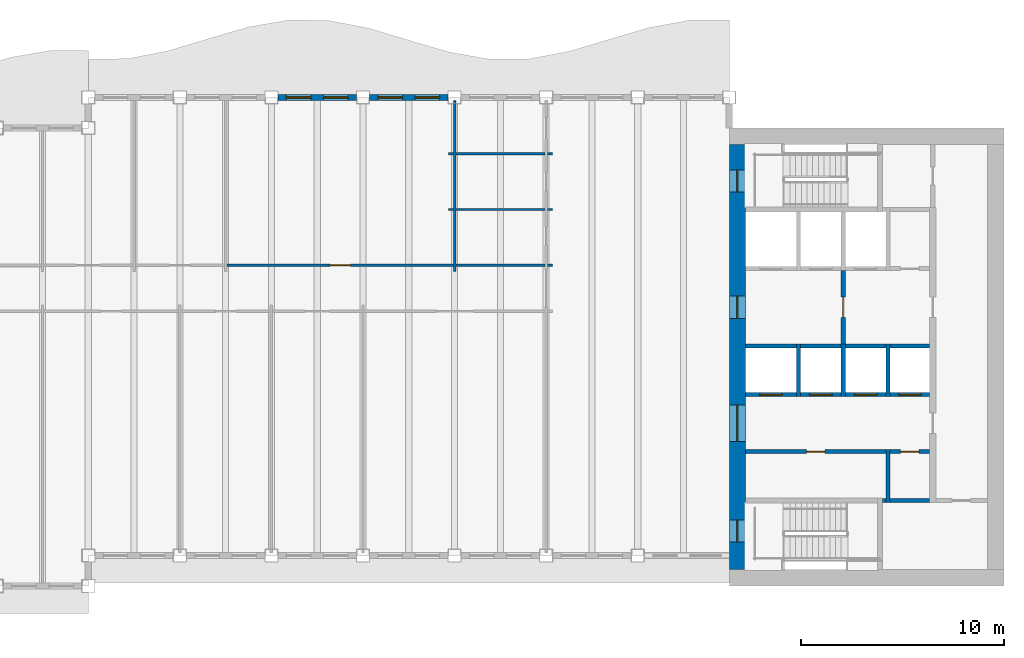
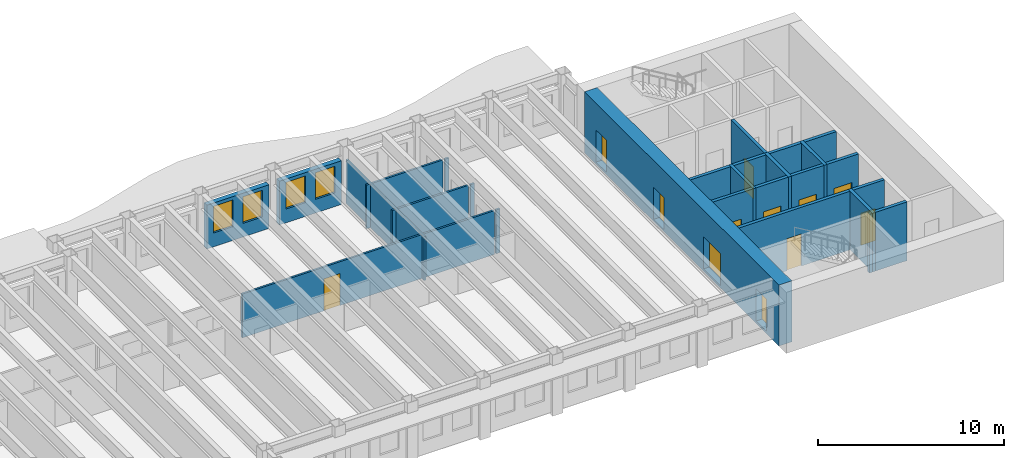
# One storey, part 5 of 12: 30 walls, 12 doors, 4 windows, 16 openings.
"""IFC4 building model written with IfcOpenShell, lengths in metres."""

from ifc_helpers import new_model, si_unit, direction, frame, frame_2d, origin, place, context, subcontext, project, spatial, rectangle, extrude, material, layer, layer_set, type_object, element, fill, save


model = new_model("IFC4")

# Units and contexts
model_context = context("Model", 3, precision=1e-05, world=origin(), true_north=direction((0.0, 1.0)))
body_context = subcontext(model_context, "Body", "Model", "MODEL_VIEW")
ifc_project = project(units=[si_unit("LENGTHUNIT", "METRE"), si_unit("AREAUNIT", "SQUARE_METRE"), si_unit("VOLUMEUNIT", "CUBIC_METRE"), si_unit("PLANEANGLEUNIT", "RADIAN"), si_unit("MASSUNIT", "GRAM", prefix="KILO")], contexts=[model_context])

# Site, building, storey
site_placement = place(None, origin())
site = spatial("IfcSite", under=ifc_project, at=site_placement, CompositionType="ELEMENT")
building_placement = place(site_placement, origin())
building = spatial("IfcBuilding", under=site, at=building_placement, Name="Sennacour Bend Tower", CompositionType="ELEMENT")
storey_placement = place(building_placement, frame((0.0, 0.0, 285.0)))
storey = spatial("IfcBuildingStorey", under=building, at=storey_placement, Name="L66", CompositionType="ELEMENT", Elevation=285.0)

# Wall, openings, doors
ifc_material_1 = material(Name="Concrete C50/60", Category="concrete")
ifc_layer_1 = layer(ifc_material_1, 0.800048828125, Name="Concrete C50/60", Category="concrete")
ifc_layer_set_1 = layer_set([ifc_layer_1], Name="Concrete C50/60")
wall_type_1 = type_object("IfcWallType", Name="Core wall 800 C50/60", PredefinedType="SHEAR", material=ifc_layer_set_1)
wall_1_placement = place(storey_placement, frame((54.39990234375, 0.800048828125, -0.14990234375), z_axis=(0.0, 0.0, 1.0), x_axis=(0.0, 1.0, 0.0)))
wall_1 = element("IfcWall", 1, at=wall_1_placement, inside=storey, type_object=wall_type_1, Name="Core A wall L66 W", PredefinedType="SHEAR", context=body_context, shape_type="SweptSolid", body=[
    extrude(rectangle(XDim=20.89990234375, YDim=0.800048828125, at=frame_2d((10.449951171875, 0.0))), origin(), (0.0, 0.0, 1.0), 4.0),
])
opening_1_placement = place(wall_1_placement, frame((6.300048828125, 0.0, 0.14990234375)))
opening_1 = element("IfcOpeningElement", 2, at=opening_1_placement, cuts=wall_1, Name="Opening CD", PredefinedType="OPENING", context=body_context, shape_type="SweptSolid", body=[
    extrude(rectangle(XDim=1.800048828125, YDim=2.10009765625, at=frame_2d((0.89990234375, 1.050048828125))), frame((0.0, 0.41015625, 0.0), z_axis=(0.0, -1.0, 0.0), x_axis=(1.0, 0.0, 0.0)), (0.0, 0.0, 1.0), 0.820068359375),
])
opening_2_placement = place(wall_1_placement, frame((12.35009765625, 0.0, 0.14990234375)))
opening_2 = element("IfcOpeningElement", 3, at=opening_2_placement, cuts=wall_1, Name="Opening FD", PredefinedType="OPENING", context=body_context, shape_type="SweptSolid", body=[
    extrude(rectangle(XDim=1.10009765625, YDim=2.10009765625, at=frame_2d((0.550048828125, 1.050048828125))), frame((0.0, 0.41015625, 0.0), z_axis=(0.0, -1.0, 0.0), x_axis=(1.0, 0.0, 0.0)), (0.0, 0.0, 1.0), 0.820068359375),
])
opening_3_placement = place(wall_1_placement, frame((1.35009765625, 0.0, 0.14990234375)))
opening_3 = element("IfcOpeningElement", 4, at=opening_3_placement, cuts=wall_1, Name="Opening SD", PredefinedType="OPENING", context=body_context, shape_type="SweptSolid", body=[
    extrude(rectangle(XDim=1.10009765625, YDim=2.10009765625, at=frame_2d((0.550048828125, 1.050048828125))), frame((0.0, 0.41015625, 0.0), z_axis=(0.0, -1.0, 0.0), x_axis=(1.0, 0.0, 0.0)), (0.0, 0.0, 1.0), 0.820068359375),
])
opening_4_placement = place(wall_1_placement, frame((18.550048828125, 0.0, 0.14990234375)))
opening_4 = element("IfcOpeningElement", 5, at=opening_4_placement, cuts=wall_1, Name="Opening SD", PredefinedType="OPENING", context=body_context, shape_type="SweptSolid", body=[
    extrude(rectangle(XDim=1.10009765625, YDim=2.10009765625, at=frame_2d((0.550048828125, 1.050048828125))), frame((0.0, 0.41015625, 0.0), z_axis=(0.0, -1.0, 0.0), x_axis=(1.0, 0.0, 0.0)), (0.0, 0.0, 1.0), 0.820068359375),
])
ifc_material_2 = material(Name="Painted steel", Category="steel")
door_type_1 = type_object("IfcDoorType", Name="DR-FFL-1100", OperationType="NOTDEFINED", PredefinedType="DOOR", material=ifc_material_2)
door_1_placement = place(opening_2_placement, origin())
door_1 = element("IfcDoor", 6, at=door_1_placement, inside=storey, type_object=door_type_1, Name="Door", OperationType="SINGLE_SWING_RIGHT", OverallHeight=2.10009765625, OverallWidth=1.10009765625, PredefinedType="DOOR", context=body_context, shape_type="SweptSolid", body=[
    extrude(rectangle(XDim=1.10009765625, YDim=2.10009765625, at=frame_2d((0.550048828125, 1.050048828125))), frame((0.0, 0.02490234375, 0.0), z_axis=(0.0, -1.0, 0.0), x_axis=(1.0, 0.0, 0.0)), (0.0, 0.0, 1.0), 0.050048828125),
])
fill(opening_2, door_1)
door_type_2 = type_object("IfcDoorType", Name="DR-LOBBY-1800", OperationType="NOTDEFINED", PredefinedType="DOOR", material=ifc_material_2)
door_2_placement = place(opening_1_placement, origin())
door_2 = element("IfcDoor", 7, at=door_2_placement, inside=storey, type_object=door_type_2, Name="Door", OperationType="DOUBLE_DOOR_SINGLE_SWING", OverallHeight=2.10009765625, OverallWidth=1.800048828125, PredefinedType="DOOR", context=body_context, shape_type="SweptSolid", body=[
    extrude(rectangle(XDim=1.800048828125, YDim=2.10009765625, at=frame_2d((0.89990234375, 1.050048828125))), frame((0.0, 0.02490234375, 0.0), z_axis=(0.0, -1.0, 0.0), x_axis=(1.0, 0.0, 0.0)), (0.0, 0.0, 1.0), 0.050048828125),
])
fill(opening_1, door_2)
door_type_3 = type_object("IfcDoorType", Name="DR-STAIR-1100", OperationType="NOTDEFINED", PredefinedType="DOOR", material=ifc_material_2)
door_3_placement = place(opening_3_placement, origin())
door_3 = element("IfcDoor", 8, at=door_3_placement, inside=storey, type_object=door_type_3, Name="Door", OperationType="SINGLE_SWING_LEFT", OverallHeight=2.10009765625, OverallWidth=1.10009765625, PredefinedType="DOOR", context=body_context, shape_type="SweptSolid", body=[
    extrude(rectangle(XDim=1.10009765625, YDim=2.10009765625, at=frame_2d((0.550048828125, 1.050048828125))), frame((0.0, 0.02490234375, 0.0), z_axis=(0.0, -1.0, 0.0), x_axis=(1.0, 0.0, 0.0)), (0.0, 0.0, 1.0), 0.050048828125),
])
fill(opening_3, door_3)
door_4_placement = place(opening_4_placement, origin())
door_4 = element("IfcDoor", 9, at=door_4_placement, inside=storey, type_object=door_type_3, Name="Door", OperationType="SINGLE_SWING_RIGHT", OverallHeight=2.10009765625, OverallWidth=1.10009765625, PredefinedType="DOOR", context=body_context, shape_type="SweptSolid", body=[
    extrude(rectangle(XDim=1.10009765625, YDim=2.10009765625, at=frame_2d((0.550048828125, 1.050048828125))), frame((0.0, 0.02490234375, 0.0), z_axis=(0.0, -1.0, 0.0), x_axis=(1.0, 0.0, 0.0)), (0.0, 0.0, 1.0), 0.050048828125),
])
fill(opening_4, door_4)

# Wall
ifc_material_3 = material(Name="Plasterboard partition on steel studs", Category="steel")
ifc_layer_2 = layer(ifc_material_3, 0.1201171875, Name="Plasterboard partition on steel studs", Category="steel")
ifc_layer_set_2 = layer_set([ifc_layer_2], Name="Plasterboard partition on steel studs")
wall_type_2 = type_object("IfcWallType", Name="Partition 120", PredefinedType="PARTITIONING", material=ifc_layer_set_2)
wall_2_placement = place(storey_placement, frame((40.5, 15.449951171875, 0.0), z_axis=(0.0, 0.0, 1.0), x_axis=(0.0, 1.0, 0.0)))
element("IfcWall", 10, at=wall_2_placement, inside=storey, type_object=wall_type_2, Name="P-L66-W014a", PredefinedType="PARTITIONING", context=body_context, shape_type="SweptSolid", body=[
    extrude(rectangle(XDim=8.400146484375, YDim=0.1201171875, at=frame_2d((4.2001953125, 0.0))), origin(), (0.0, 0.0, 1.0), 2.8701171875),
])

# Wall, opening, door
wall_3_placement = place(storey_placement, frame((29.31005859375, 15.75, 0.0), z_axis=(0.0, 0.0, 1.0), x_axis=(1.0, 0.0, 0.0)))
wall_3 = element("IfcWall", 11, at=wall_3_placement, inside=storey, type_object=wall_type_2, Name="P-L66-W043af", PredefinedType="PARTITIONING", context=body_context, shape_type="SweptSolid", body=[
    extrude(rectangle(XDim=11.1298828125, YDim=0.1201171875, at=frame_2d((5.56494140625, 0.0))), origin(), (0.0, 0.0, 1.0), 2.8701171875),
])
opening_5_placement = place(wall_3_placement, frame((5.06494140625, 0.0, 0.0)))
opening_5 = element("IfcOpeningElement", 12, at=opening_5_placement, cuts=wall_3, Name="Opening OD2", PredefinedType="OPENING", context=body_context, shape_type="SweptSolid", body=[
    extrude(rectangle(XDim=1.0, YDim=2.10009765625, at=frame_2d((0.5, 1.050048828125))), frame((0.0, 0.070068359375, 0.0), z_axis=(0.0, -1.0, 0.0), x_axis=(1.0, 0.0, 0.0)), (0.0, 0.0, 1.0), 0.14013671875),
])
ifc_material_4 = material(Name="Timber", Category="wood")
door_type_4 = type_object("IfcDoorType", Name="DR-OFFICE-1000", OperationType="NOTDEFINED", PredefinedType="DOOR", material=ifc_material_4)
door_5_placement = place(opening_5_placement, origin())
door_5 = element("IfcDoor", 13, at=door_5_placement, inside=storey, type_object=door_type_4, Name="Door", OperationType="SINGLE_SWING_LEFT", OverallHeight=2.10009765625, OverallWidth=1.0, PredefinedType="DOOR", context=body_context, shape_type="SweptSolid", body=[
    extrude(rectangle(XDim=1.0, YDim=2.10009765625, at=frame_2d((0.5, 1.050048828125))), frame((0.0, 0.02490234375, 0.0), z_axis=(0.0, -1.0, 0.0), x_axis=(1.0, 0.0, 0.0)), (0.0, 0.0, 1.0), 0.050048828125),
])
fill(opening_5, door_5)

# Walls
wall_4_placement = place(storey_placement, frame((40.56005859375, 15.75, 0.0), z_axis=(0.0, 0.0, 1.0), x_axis=(1.0, 0.0, 0.0)))
element("IfcWall", 14, at=wall_4_placement, inside=storey, type_object=wall_type_2, Name="P-L66-W043ag", PredefinedType="PARTITIONING", context=body_context, shape_type="SweptSolid", body=[
    extrude(rectangle(XDim=4.3798828125, YDim=0.1201171875, at=frame_2d((2.18994140625, 0.0))), origin(), (0.0, 0.0, 1.0), 2.8701171875),
])
for number, where, z_axis, x_axis, name in (
    (15, (45.06005859375, 15.75, 0.0), (0.0, 0.0, 1.0), (1.0, 0.0, 0.0), "P-L66-W043ah"),
    (16, (40.199951171875, 18.5, 0.0), (0.0, 0.0, 1.0), (1.0, 0.0, 0.0), "P-L66-W044aa"),
):
    element("IfcWall", number, at=place(storey_placement, frame(where, z_axis=z_axis, x_axis=x_axis)), inside=storey, type_object=wall_type_2, Name=name, PredefinedType="PARTITIONING", context=body_context, shape_type="SweptSolid", body=[
        extrude(rectangle(XDim=0.239990234375, YDim=0.1201171875, at=frame_2d((0.1201171875, 0.0))), origin(), (0.0, 0.0, 1.0), 2.8701171875),
    ])
wall_5_placement = place(storey_placement, frame((40.56005859375, 18.5, 0.0), z_axis=(0.0, 0.0, 1.0), x_axis=(1.0, 0.0, 0.0)))
element("IfcWall", 17, at=wall_5_placement, inside=storey, type_object=wall_type_2, Name="P-L66-W044ab", PredefinedType="PARTITIONING", context=body_context, shape_type="SweptSolid", body=[
    extrude(rectangle(XDim=4.3798828125, YDim=0.1201171875, at=frame_2d((2.18994140625, 0.0))), origin(), (0.0, 0.0, 1.0), 2.8701171875),
])
for number, where, z_axis, x_axis, name in (
    (18, (45.06005859375, 18.5, 0.0), (0.0, 0.0, 1.0), (1.0, 0.0, 0.0), "P-L66-W044ac"),
    (19, (40.199951171875, 21.25, 0.0), (0.0, 0.0, 1.0), (1.0, 0.0, 0.0), "P-L66-W048aa"),
):
    element("IfcWall", number, at=place(storey_placement, frame(where, z_axis=z_axis, x_axis=x_axis)), inside=storey, type_object=wall_type_2, Name=name, PredefinedType="PARTITIONING", context=body_context, shape_type="SweptSolid", body=[
        extrude(rectangle(XDim=0.239990234375, YDim=0.1201171875, at=frame_2d((0.1201171875, 0.0))), origin(), (0.0, 0.0, 1.0), 2.8701171875),
    ])
wall_6_placement = place(storey_placement, frame((40.56005859375, 21.25, 0.0), z_axis=(0.0, 0.0, 1.0), x_axis=(1.0, 0.0, 0.0)))
element("IfcWall", 20, at=wall_6_placement, inside=storey, type_object=wall_type_2, Name="P-L66-W048ab", PredefinedType="PARTITIONING", context=body_context, shape_type="SweptSolid", body=[
    extrude(rectangle(XDim=4.3798828125, YDim=0.1201171875, at=frame_2d((2.18994140625, 0.0))), origin(), (0.0, 0.0, 1.0), 2.8701171875),
])
wall_7_placement = place(storey_placement, frame((45.06005859375, 21.25, 0.0), z_axis=(0.0, 0.0, 1.0), x_axis=(1.0, 0.0, 0.0)))
element("IfcWall", 21, at=wall_7_placement, inside=storey, type_object=wall_type_2, Name="P-L66-W048ac", PredefinedType="PARTITIONING", context=body_context, shape_type="SweptSolid", body=[
    extrude(rectangle(XDim=0.239990234375, YDim=0.1201171875, at=frame_2d((0.1201171875, 0.0))), origin(), (0.0, 0.0, 1.0), 2.8701171875),
])
ifc_material_5 = material(Name="Fire-rated plasterboard partition on steel studs", Category="steel")
ifc_layer_3 = layer(ifc_material_5, 0.199951171875, Name="Fire-rated plasterboard partition on steel studs", Category="steel")
ifc_layer_set_3 = layer_set([ifc_layer_3], Name="Fire-rated plasterboard partition on steel studs")
wall_type_3 = type_object("IfcWallType", Name="Rated partition 200", PredefinedType="PARTITIONING", material=ifc_layer_set_3)
wall_8_placement = place(storey_placement, frame((61.800048828125, 4.10009765625, 0.0), z_axis=(0.0, 0.0, 1.0), x_axis=(0.0, 1.0, 0.0)))
element("IfcWall", 22, at=wall_8_placement, inside=storey, type_object=wall_type_3, Name="P-L66-W024", PredefinedType="PARTITIONING", context=body_context, shape_type="SweptSolid", body=[
    extrude(rectangle(XDim=2.599853515625, YDim=0.199951171875, at=frame_2d((1.2998046875, 0.0))), origin(), (0.0, 0.0, 1.0), 3.85009765625),
])
wall_9_placement = place(storey_placement, frame((61.52490234375, 4.199951171875, 0.0), z_axis=(0.0, 0.0, 1.0), x_axis=(1.0, 0.0, 0.0)))
element("IfcWall", 23, at=wall_9_placement, inside=storey, type_object=wall_type_3, Name="P-L66-W036a", PredefinedType="PARTITIONING", context=body_context, shape_type="SweptSolid", body=[
    extrude(rectangle(XDim=0.175048828125, YDim=0.199951171875, at=frame_2d((0.08740234375, 0.0))), origin(), (0.0, 0.0, 1.0), 3.85009765625),
])
wall_10_placement = place(storey_placement, frame((61.89990234375, 4.199951171875, 0.0), z_axis=(0.0, 0.0, 1.0), x_axis=(1.0, 0.0, 0.0)))
element("IfcWall", 24, at=wall_10_placement, inside=storey, type_object=wall_type_3, Name="P-L66-W036b", PredefinedType="PARTITIONING", context=body_context, shape_type="SweptSolid", body=[
    extrude(rectangle(XDim=1.9501953125, YDim=0.199951171875, at=frame_2d((0.97509765625, 0.0))), origin(), (0.0, 0.0, 1.0), 3.85009765625),
])

# Wall, opening, door
wall_11_placement = place(storey_placement, frame((54.800048828125, 6.60009765625, 0.0), z_axis=(0.0, 0.0, 1.0), x_axis=(1.0, 0.0, 0.0)))
wall_11 = element("IfcWall", 25, at=wall_11_placement, inside=storey, type_object=wall_type_3, Name="P-L66-W037a", PredefinedType="PARTITIONING", context=body_context, shape_type="SweptSolid", body=[
    extrude(rectangle(XDim=6.89990234375, YDim=0.199951171875, at=frame_2d((3.449951171875, 0.0))), origin(), (0.0, 0.0, 1.0), 3.85009765625),
])
opening_6_placement = place(wall_11_placement, frame((3.0, 0.0, 0.0)))
opening_6 = element("IfcOpeningElement", 26, at=opening_6_placement, cuts=wall_11, Name="Opening SV", PredefinedType="OPENING", context=body_context, shape_type="SweptSolid", body=[
    extrude(rectangle(XDim=0.89990234375, YDim=2.10009765625, at=frame_2d((0.449951171875, 1.050048828125))), frame((0.0, 0.10986328125, 0.0), z_axis=(0.0, -1.0, 0.0), x_axis=(1.0, 0.0, 0.0)), (0.0, 0.0, 1.0), 0.219970703125),
])
door_type_5 = type_object("IfcDoorType", Name="DR-SERVICE-900", OperationType="NOTDEFINED", PredefinedType="DOOR", material=ifc_material_2)
door_6_placement = place(opening_6_placement, origin())
door_6 = element("IfcDoor", 27, at=door_6_placement, inside=storey, type_object=door_type_5, Name="Door", OperationType="SINGLE_SWING_LEFT", OverallHeight=2.10009765625, OverallWidth=0.89990234375, PredefinedType="DOOR", context=body_context, shape_type="SweptSolid", body=[
    extrude(rectangle(XDim=0.89990234375, YDim=2.10009765625, at=frame_2d((0.449951171875, 1.050048828125))), frame((0.0, 0.02490234375, 0.0), z_axis=(0.0, -1.0, 0.0), x_axis=(1.0, 0.0, 0.0)), (0.0, 0.0, 1.0), 0.050048828125),
])
fill(opening_6, door_6)

wall_12_placement = place(storey_placement, frame((61.89990234375, 6.60009765625, 0.0), z_axis=(0.0, 0.0, 1.0), x_axis=(1.0, 0.0, 0.0)))
wall_12 = element("IfcWall", 28, at=wall_12_placement, inside=storey, type_object=wall_type_3, Name="P-L66-W037b", PredefinedType="PARTITIONING", context=body_context, shape_type="SweptSolid", body=[
    extrude(rectangle(XDim=1.9501953125, YDim=0.199951171875, at=frame_2d((0.97509765625, 0.0))), origin(), (0.0, 0.0, 1.0), 3.85009765625),
])
opening_7_placement = place(wall_12_placement, frame((0.525146484375, 0.0, 0.0)))
opening_7 = element("IfcOpeningElement", 29, at=opening_7_placement, cuts=wall_12, Name="Opening SV", PredefinedType="OPENING", context=body_context, shape_type="SweptSolid", body=[
    extrude(rectangle(XDim=0.89990234375, YDim=2.10009765625, at=frame_2d((0.449951171875, 1.050048828125))), frame((0.0, 0.10986328125, 0.0), z_axis=(0.0, -1.0, 0.0), x_axis=(1.0, 0.0, 0.0)), (0.0, 0.0, 1.0), 0.219970703125),
])
door_7_placement = place(opening_7_placement, origin())
door_7 = element("IfcDoor", 30, at=door_7_placement, inside=storey, type_object=door_type_5, Name="Door", OperationType="SINGLE_SWING_RIGHT", OverallHeight=2.10009765625, OverallWidth=0.89990234375, PredefinedType="DOOR", context=body_context, shape_type="SweptSolid", body=[
    extrude(rectangle(XDim=0.89990234375, YDim=2.10009765625, at=frame_2d((0.449951171875, 1.050048828125))), frame((0.0, 0.02490234375, 0.0), z_axis=(0.0, -1.0, 0.0), x_axis=(1.0, 0.0, 0.0)), (0.0, 0.0, 1.0), 0.050048828125),
])
fill(opening_7, door_7)

ifc_layer_4 = layer(ifc_material_5, 0.199951171875, Name="Fire-rated plasterboard partition on steel studs", Category="steel")
ifc_layer_set_4 = layer_set([ifc_layer_4], Name="Fire-rated plasterboard partition on steel studs")
wall_type_4 = type_object("IfcWallType", Name="Rated partition 200 EI 90", PredefinedType="PARTITIONING", material=ifc_layer_set_4)
wall_13_placement = place(storey_placement, frame((59.60009765625, 11.89990234375, 0.0), z_axis=(0.0, 0.0, 1.0), x_axis=(0.0, 1.0, 0.0)))
wall_13 = element("IfcWall", 31, at=wall_13_placement, inside=storey, type_object=wall_type_4, Name="P-L66-W020", PredefinedType="PARTITIONING", context=body_context, shape_type="SweptSolid", body=[
    extrude(rectangle(XDim=3.60009765625, YDim=0.199951171875, at=frame_2d((1.800048828125, 0.0))), origin(), (0.0, 0.0, 1.0), 3.85009765625),
])
opening_8_placement = place(wall_13_placement, frame((1.300048828125, 0.0, 0.0)))
opening_8 = element("IfcOpeningElement", 32, at=opening_8_placement, cuts=wall_13, Name="Opening FD2", PredefinedType="OPENING", context=body_context, shape_type="SweptSolid", body=[
    extrude(rectangle(XDim=1.0, YDim=2.10009765625, at=frame_2d((0.5, 1.050048828125))), frame((0.0, 0.10986328125, 0.0), z_axis=(0.0, -1.0, 0.0), x_axis=(1.0, 0.0, 0.0)), (0.0, 0.0, 1.0), 0.219970703125),
])
door_type_6 = type_object("IfcDoorType", Name="DR-FFL-1000", OperationType="NOTDEFINED", PredefinedType="DOOR", material=ifc_material_2)
door_8_placement = place(opening_8_placement, origin())
door_8 = element("IfcDoor", 33, at=door_8_placement, inside=storey, type_object=door_type_6, Name="Door", OperationType="SINGLE_SWING_LEFT", OverallHeight=2.10009765625, OverallWidth=1.0, PredefinedType="DOOR", context=body_context, shape_type="SweptSolid", body=[
    extrude(rectangle(XDim=1.0, YDim=2.10009765625, at=frame_2d((0.5, 1.050048828125))), frame((0.0, 0.02490234375, 0.0), z_axis=(0.0, -1.0, 0.0), x_axis=(1.0, 0.0, 0.0)), (0.0, 0.0, 1.0), 0.050048828125),
])
fill(opening_8, door_8)

# Wall, openings, windows
ifc_material_6 = material(Name="Warm limestone cladding", Category="masonry")
ifc_layer_5 = layer(ifc_material_6, 0.050048828125, Name="Warm limestone cladding", Category="masonry")
ifc_material_7 = material(Name="Precast concrete C40/50", Category="concrete")
ifc_layer_6 = layer(ifc_material_7, 0.25, Name="Precast concrete C40/50", Category="concrete")
ifc_layer_set_5 = layer_set([ifc_layer_5, ifc_layer_6], Name="Precast concrete C40/50 with limestone cladding")
wall_type_5 = type_object("IfcWallType", Name="STONE-CLAD PRECAST SPANDREL 300", PredefinedType="STANDARD", material=ifc_layer_set_5)
wall_14_placement = place(storey_placement, frame((40.175048828125, 24.0, 0.0), z_axis=(0.0, 0.0, 1.0), x_axis=(-1.0, 0.0, 0.0)))
wall_14 = element("IfcWall", 34, at=wall_14_placement, inside=storey, type_object=wall_type_5, Name="Stone spandrel and pier wall L66 07.03", PredefinedType="STANDARD", context=body_context, shape_type="SweptSolid", body=[
    extrude(rectangle(XDim=3.85009765625, YDim=0.300048828125, at=frame_2d((1.925048828125, 0.0))), origin(), (0.0, 0.0, 1.0), 2.8701171875),
])
opening_9_placement = place(wall_14_placement, frame((0.41259765625, 0.0, 0.89990234375)))
opening_9 = element("IfcOpeningElement", 35, at=opening_9_placement, cuts=wall_14, Name="Opening W16", PredefinedType="OPENING", context=body_context, shape_type="SweptSolid", body=[
    extrude(rectangle(XDim=1.199951171875, YDim=1.75, at=frame_2d((0.60009765625, 0.875))), frame((0.0, 0.16015625, 0.0), z_axis=(0.0, -1.0, 0.0), x_axis=(1.0, 0.0, 0.0)), (0.0, 0.0, 1.0), 0.320068359375),
])
opening_10_placement = place(wall_14_placement, frame((2.237548828125, 0.0, 0.89990234375)))
opening_10 = element("IfcOpeningElement", 36, at=opening_10_placement, cuts=wall_14, Name="Opening W16", PredefinedType="OPENING", context=body_context, shape_type="SweptSolid", body=[
    extrude(rectangle(XDim=1.199951171875, YDim=1.75, at=frame_2d((0.60009765625, 0.875))), frame((0.0, 0.16015625, 0.0), z_axis=(0.0, -1.0, 0.0), x_axis=(1.0, 0.0, 0.0)), (0.0, 0.0, 1.0), 0.320068359375),
])
ifc_material_8 = material(Name="Clear low-emissivity glass", Category="glass")
window_type = type_object("IfcWindowType", Name="WIN-RIBBON-1200x1750", PartitioningType="SINGLE_PANEL", PredefinedType="WINDOW", material=ifc_material_8)
window_1_placement = place(opening_9_placement, origin())
window_1 = element("IfcWindow", 37, at=window_1_placement, inside=storey, type_object=window_type, Name="Ribbon window L66 07.03.0", OverallHeight=1.75, OverallWidth=1.199951171875, PartitioningType="SINGLE_PANEL", PredefinedType="WINDOW", context=body_context, shape_type="SweptSolid", body=[
    extrude(rectangle(XDim=1.199951171875, YDim=1.75, at=frame_2d((0.60009765625, 0.875))), frame((0.0, 0.030029296875, 0.0), z_axis=(0.0, -1.0, 0.0), x_axis=(1.0, 0.0, 0.0)), (0.0, 0.0, 1.0), 0.06005859375),
])
fill(opening_9, window_1)
window_2_placement = place(opening_10_placement, origin())
window_2 = element("IfcWindow", 38, at=window_2_placement, inside=storey, type_object=window_type, Name="Ribbon window L66 07.03.1", OverallHeight=1.75, OverallWidth=1.199951171875, PartitioningType="SINGLE_PANEL", PredefinedType="WINDOW", context=body_context, shape_type="SweptSolid", body=[
    extrude(rectangle(XDim=1.199951171875, YDim=1.75, at=frame_2d((0.60009765625, 0.875))), frame((0.0, 0.030029296875, 0.0), z_axis=(0.0, -1.0, 0.0), x_axis=(1.0, 0.0, 0.0)), (0.0, 0.0, 1.0), 0.06005859375),
])
fill(opening_10, window_2)

wall_15_placement = place(storey_placement, frame((35.675048828125, 24.0, 0.0), z_axis=(0.0, 0.0, 1.0), x_axis=(-1.0, 0.0, 0.0)))
wall_15 = element("IfcWall", 39, at=wall_15_placement, inside=storey, type_object=wall_type_5, Name="Stone spandrel and pier wall L66 07.04", PredefinedType="STANDARD", context=body_context, shape_type="SweptSolid", body=[
    extrude(rectangle(XDim=3.85009765625, YDim=0.300048828125, at=frame_2d((1.925048828125, 0.0))), origin(), (0.0, 0.0, 1.0), 2.8701171875),
])
opening_11_placement = place(wall_15_placement, frame((0.41259765625, 0.0, 0.89990234375)))
opening_11 = element("IfcOpeningElement", 40, at=opening_11_placement, cuts=wall_15, Name="Opening W16", PredefinedType="OPENING", context=body_context, shape_type="SweptSolid", body=[
    extrude(rectangle(XDim=1.199951171875, YDim=1.75, at=frame_2d((0.60009765625, 0.875))), frame((0.0, 0.16015625, 0.0), z_axis=(0.0, -1.0, 0.0), x_axis=(1.0, 0.0, 0.0)), (0.0, 0.0, 1.0), 0.320068359375),
])
opening_12_placement = place(wall_15_placement, frame((2.237548828125, 0.0, 0.89990234375)))
opening_12 = element("IfcOpeningElement", 41, at=opening_12_placement, cuts=wall_15, Name="Opening W16", PredefinedType="OPENING", context=body_context, shape_type="SweptSolid", body=[
    extrude(rectangle(XDim=1.199951171875, YDim=1.75, at=frame_2d((0.60009765625, 0.875))), frame((0.0, 0.16015625, 0.0), z_axis=(0.0, -1.0, 0.0), x_axis=(1.0, 0.0, 0.0)), (0.0, 0.0, 1.0), 0.320068359375),
])
window_3_placement = place(opening_11_placement, origin())
window_3 = element("IfcWindow", 42, at=window_3_placement, inside=storey, type_object=window_type, Name="Ribbon window L66 07.04.0", OverallHeight=1.75, OverallWidth=1.199951171875, PartitioningType="SINGLE_PANEL", PredefinedType="WINDOW", context=body_context, shape_type="SweptSolid", body=[
    extrude(rectangle(XDim=1.199951171875, YDim=1.75, at=frame_2d((0.60009765625, 0.875))), frame((0.0, 0.030029296875, 0.0), z_axis=(0.0, -1.0, 0.0), x_axis=(1.0, 0.0, 0.0)), (0.0, 0.0, 1.0), 0.06005859375),
])
fill(opening_11, window_3)
window_4_placement = place(opening_12_placement, origin())
window_4 = element("IfcWindow", 43, at=window_4_placement, inside=storey, type_object=window_type, Name="Ribbon window L66 07.04.1", OverallHeight=1.75, OverallWidth=1.199951171875, PartitioningType="SINGLE_PANEL", PredefinedType="WINDOW", context=body_context, shape_type="SweptSolid", body=[
    extrude(rectangle(XDim=1.199951171875, YDim=1.75, at=frame_2d((0.60009765625, 0.875))), frame((0.0, 0.030029296875, 0.0), z_axis=(0.0, -1.0, 0.0), x_axis=(1.0, 0.0, 0.0)), (0.0, 0.0, 1.0), 0.06005859375),
])
fill(opening_12, window_4)

# Walls
ifc_layer_7 = layer(ifc_material_1, 0.199951171875, Name="Concrete C50/60", Category="concrete")
ifc_layer_set_6 = layer_set([ifc_layer_7], Name="Concrete C50/60")
wall_type_6 = type_object("IfcWallType", Name="Shaft wall 200", PredefinedType="SOLIDWALL", material=ifc_layer_set_6)
for number, where, z_axis, x_axis, name in (
    (44, (57.39990234375, 9.300048828125, 0.0), (0.0, 0.0, 1.0), (0.0, 1.0, 0.0), "P-L66-W017"),
    (45, (59.60009765625, 9.300048828125, 0.0), (0.0, 0.0, 1.0), (0.0, 1.0, 0.0), "P-L66-W019"),
    (46, (61.800048828125, 9.300048828125, 0.0), (0.0, 0.0, 1.0), (0.0, 1.0, 0.0), "P-L66-W025"),
):
    element("IfcWall", number, at=place(storey_placement, frame(where, z_axis=z_axis, x_axis=x_axis)), inside=storey, type_object=wall_type_6, Name=name, PredefinedType="SOLIDWALL", context=body_context, shape_type="SweptSolid", body=[
        extrude(rectangle(XDim=2.599853515625, YDim=0.199951171875, at=frame_2d((1.2998046875, 0.0))), origin(), (0.0, 0.0, 1.0), 3.85009765625),
    ])

# Wall, opening, door
wall_16_placement = place(storey_placement, frame((54.800048828125, 9.39990234375, 0.0), z_axis=(0.0, 0.0, 1.0), x_axis=(1.0, 0.0, 0.0)))
wall_16 = element("IfcWall", 47, at=wall_16_placement, inside=storey, type_object=wall_type_6, Name="P-L66-W038a", PredefinedType="SOLIDWALL", context=body_context, shape_type="SweptSolid", body=[
    extrude(rectangle(XDim=2.5, YDim=0.199951171875, at=frame_2d((1.25, 0.0))), origin(), (0.0, 0.0, 1.0), 3.85009765625),
])
opening_13_placement = place(wall_16_placement, frame((0.699951171875, 0.0, 0.011962890625)))
opening_13 = element("IfcOpeningElement", 48, at=opening_13_placement, cuts=wall_16, Name="Opening LD", PredefinedType="OPENING", context=body_context, shape_type="SweptSolid", body=[
    extrude(rectangle(XDim=1.10009765625, YDim=2.10009765625, at=frame_2d((0.550048828125, 1.050048828125))), frame((0.0, 0.10986328125, 0.0), z_axis=(0.0, -1.0, 0.0), x_axis=(1.0, 0.0, 0.0)), (0.0, 0.0, 1.0), 0.219970703125),
])
ifc_material_9 = material(Name="Stainless steel", Category="steel")
door_type_7 = type_object("IfcDoorType", Name="DR-LANDING-1100", OperationType="NOTDEFINED", PredefinedType="DOOR", material=ifc_material_9)
door_9_placement = place(opening_13_placement, origin())
door_9 = element("IfcDoor", 49, at=door_9_placement, inside=storey, type_object=door_type_7, Name="Lift landing door HA1", OperationType="SLIDING_TO_LEFT", OverallHeight=2.10009765625, OverallWidth=1.10009765625, PredefinedType="DOOR", context=body_context, shape_type="SweptSolid", body=[
    extrude(rectangle(XDim=1.10009765625, YDim=2.10009765625, at=frame_2d((0.550048828125, 1.050048828125))), frame((0.0, 0.02490234375, 0.0), z_axis=(0.0, -1.0, 0.0), x_axis=(1.0, 0.0, 0.0)), (0.0, 0.0, 1.0), 0.050048828125),
])
fill(opening_13, door_9)

wall_17_placement = place(storey_placement, frame((57.5, 9.39990234375, 0.0), z_axis=(0.0, 0.0, 1.0), x_axis=(1.0, 0.0, 0.0)))
wall_17 = element("IfcWall", 50, at=wall_17_placement, inside=storey, type_object=wall_type_6, Name="P-L66-W038b", PredefinedType="SOLIDWALL", context=body_context, shape_type="SweptSolid", body=[
    extrude(rectangle(XDim=2.0, YDim=0.199951171875, at=frame_2d((1.0, 0.0))), origin(), (0.0, 0.0, 1.0), 3.85009765625),
])
opening_14_placement = place(wall_17_placement, frame((0.449951171875, 0.0, 0.011962890625)))
opening_14 = element("IfcOpeningElement", 51, at=opening_14_placement, cuts=wall_17, Name="Opening LD", PredefinedType="OPENING", context=body_context, shape_type="SweptSolid", body=[
    extrude(rectangle(XDim=1.10009765625, YDim=2.10009765625, at=frame_2d((0.550048828125, 1.050048828125))), frame((0.0, 0.10986328125, 0.0), z_axis=(0.0, -1.0, 0.0), x_axis=(1.0, 0.0, 0.0)), (0.0, 0.0, 1.0), 0.219970703125),
])
door_10_placement = place(opening_14_placement, origin())
door_10 = element("IfcDoor", 52, at=door_10_placement, inside=storey, type_object=door_type_7, Name="Lift landing door HA2", OperationType="SLIDING_TO_RIGHT", OverallHeight=2.10009765625, OverallWidth=1.10009765625, PredefinedType="DOOR", context=body_context, shape_type="SweptSolid", body=[
    extrude(rectangle(XDim=1.10009765625, YDim=2.10009765625, at=frame_2d((0.550048828125, 1.050048828125))), frame((0.0, 0.02490234375, 0.0), z_axis=(0.0, -1.0, 0.0), x_axis=(1.0, 0.0, 0.0)), (0.0, 0.0, 1.0), 0.050048828125),
])
fill(opening_14, door_10)

wall_18_placement = place(storey_placement, frame((59.699951171875, 9.39990234375, 0.0), z_axis=(0.0, 0.0, 1.0), x_axis=(1.0, 0.0, 0.0)))
wall_18 = element("IfcWall", 53, at=wall_18_placement, inside=storey, type_object=wall_type_6, Name="P-L66-W038c", PredefinedType="SOLIDWALL", context=body_context, shape_type="SweptSolid", body=[
    extrude(rectangle(XDim=2.0, YDim=0.199951171875, at=frame_2d((1.0, 0.0))), origin(), (0.0, 0.0, 1.0), 3.85009765625),
])
opening_15_placement = place(wall_18_placement, frame((0.449951171875, 0.0, 0.011962890625)))
opening_15 = element("IfcOpeningElement", 54, at=opening_15_placement, cuts=wall_18, Name="Opening LD", PredefinedType="OPENING", context=body_context, shape_type="SweptSolid", body=[
    extrude(rectangle(XDim=1.10009765625, YDim=2.10009765625, at=frame_2d((0.550048828125, 1.050048828125))), frame((0.0, 0.10986328125, 0.0), z_axis=(0.0, -1.0, 0.0), x_axis=(1.0, 0.0, 0.0)), (0.0, 0.0, 1.0), 0.219970703125),
])
door_11_placement = place(opening_15_placement, origin())
door_11 = element("IfcDoor", 55, at=door_11_placement, inside=storey, type_object=door_type_7, Name="Lift landing door HA3", OperationType="SLIDING_TO_LEFT", OverallHeight=2.10009765625, OverallWidth=1.10009765625, PredefinedType="DOOR", context=body_context, shape_type="SweptSolid", body=[
    extrude(rectangle(XDim=1.10009765625, YDim=2.10009765625, at=frame_2d((0.550048828125, 1.050048828125))), frame((0.0, 0.02490234375, 0.0), z_axis=(0.0, -1.0, 0.0), x_axis=(1.0, 0.0, 0.0)), (0.0, 0.0, 1.0), 0.050048828125),
])
fill(opening_15, door_11)

wall_19_placement = place(storey_placement, frame((61.89990234375, 9.39990234375, 0.0), z_axis=(0.0, 0.0, 1.0), x_axis=(1.0, 0.0, 0.0)))
wall_19 = element("IfcWall", 56, at=wall_19_placement, inside=storey, type_object=wall_type_6, Name="P-L66-W038d", PredefinedType="SOLIDWALL", context=body_context, shape_type="SweptSolid", body=[
    extrude(rectangle(XDim=1.9501953125, YDim=0.199951171875, at=frame_2d((0.97509765625, 0.0))), origin(), (0.0, 0.0, 1.0), 3.85009765625),
])
opening_16_placement = place(wall_19_placement, frame((0.425048828125, 0.0, 0.011962890625)))
opening_16 = element("IfcOpeningElement", 57, at=opening_16_placement, cuts=wall_19, Name="Opening LD", PredefinedType="OPENING", context=body_context, shape_type="SweptSolid", body=[
    extrude(rectangle(XDim=1.10009765625, YDim=2.10009765625, at=frame_2d((0.550048828125, 1.050048828125))), frame((0.0, 0.10986328125, 0.0), z_axis=(0.0, -1.0, 0.0), x_axis=(1.0, 0.0, 0.0)), (0.0, 0.0, 1.0), 0.219970703125),
])
door_12_placement = place(opening_16_placement, origin())
door_12 = element("IfcDoor", 58, at=door_12_placement, inside=storey, type_object=door_type_7, Name="Lift landing door HA4", OperationType="SLIDING_TO_RIGHT", OverallHeight=2.10009765625, OverallWidth=1.10009765625, PredefinedType="DOOR", context=body_context, shape_type="SweptSolid", body=[
    extrude(rectangle(XDim=1.10009765625, YDim=2.10009765625, at=frame_2d((0.550048828125, 1.050048828125))), frame((0.0, 0.02490234375, 0.0), z_axis=(0.0, -1.0, 0.0), x_axis=(1.0, 0.0, 0.0)), (0.0, 0.0, 1.0), 0.050048828125),
])
fill(opening_16, door_12)

# Walls
wall_20_placement = place(storey_placement, frame((54.800048828125, 11.800048828125, 0.0), z_axis=(0.0, 0.0, 1.0), x_axis=(1.0, 0.0, 0.0)))
element("IfcWall", 59, at=wall_20_placement, inside=storey, type_object=wall_type_6, Name="P-L66-W039a", PredefinedType="SOLIDWALL", context=body_context, shape_type="SweptSolid", body=[
    extrude(rectangle(XDim=2.5, YDim=0.199951171875, at=frame_2d((1.25, 0.0))), origin(), (0.0, 0.0, 1.0), 3.85009765625),
])
for number, where, z_axis, x_axis, name in (
    (60, (57.5, 11.800048828125, 0.0), (0.0, 0.0, 1.0), (1.0, 0.0, 0.0), "P-L66-W039b"),
    (61, (59.699951171875, 11.800048828125, 0.0), (0.0, 0.0, 1.0), (1.0, 0.0, 0.0), "P-L66-W039c"),
):
    element("IfcWall", number, at=place(storey_placement, frame(where, z_axis=z_axis, x_axis=x_axis)), inside=storey, type_object=wall_type_6, Name=name, PredefinedType="SOLIDWALL", context=body_context, shape_type="SweptSolid", body=[
        extrude(rectangle(XDim=2.0, YDim=0.199951171875, at=frame_2d((1.0, 0.0))), origin(), (0.0, 0.0, 1.0), 3.85009765625),
    ])
wall_21_placement = place(storey_placement, frame((61.89990234375, 11.800048828125, 0.0), z_axis=(0.0, 0.0, 1.0), x_axis=(1.0, 0.0, 0.0)))
element("IfcWall", 62, at=wall_21_placement, inside=storey, type_object=wall_type_6, Name="P-L66-W039d", PredefinedType="SOLIDWALL", context=body_context, shape_type="SweptSolid", body=[
    extrude(rectangle(XDim=1.9501953125, YDim=0.199951171875, at=frame_2d((0.97509765625, 0.0))), origin(), (0.0, 0.0, 1.0), 3.85009765625),
])

save(model, "model.ifc")
